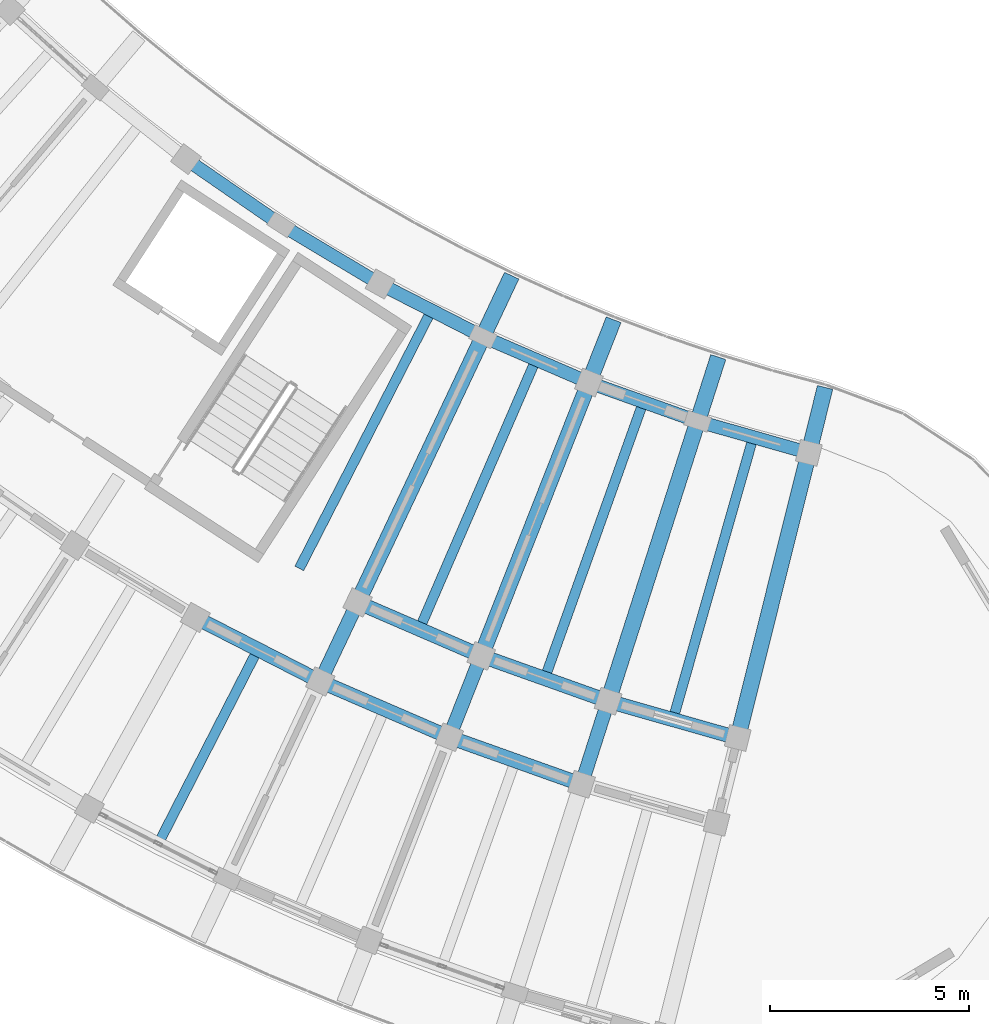
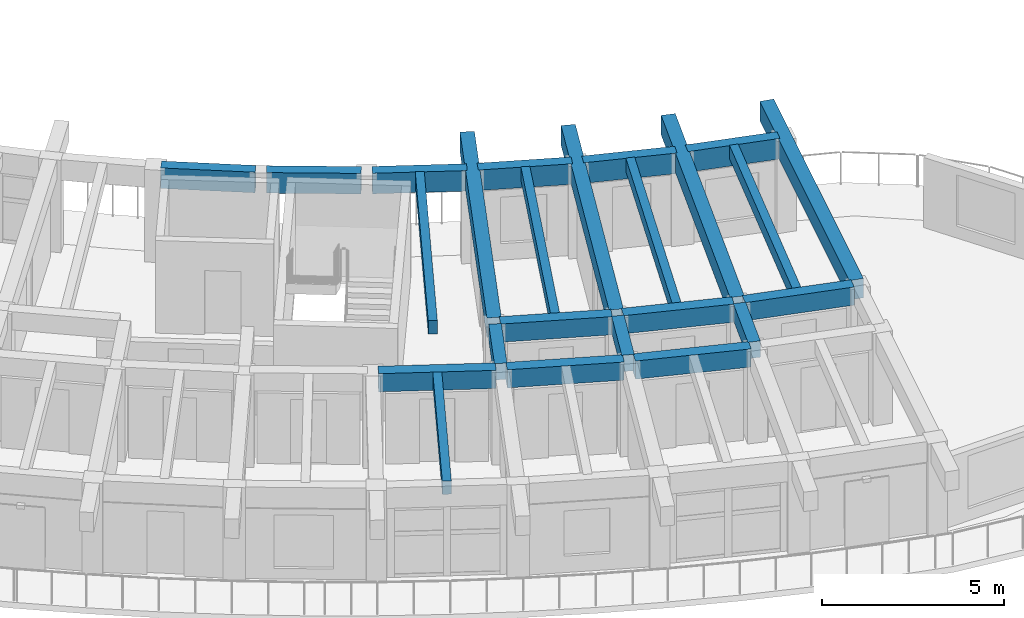
# One storey, part 9 of 96: 24 beams.
"""IFC4 building model written with IfcOpenShell, lengths in metres."""

from ifc_helpers import new_model, si_unit, direction, frame, origin, origin_2d, place, context, subcontext, project, spatial, rectangle, extrude, material, material_profile, profile_set, type_object, element, save


model = new_model("IFC4")

# Units and contexts
model_context = context("Model", 3, precision=1e-05, world=origin(), true_north=direction((0.0, 1.0)))
body_context = subcontext(model_context, "Body", "Model", "MODEL_VIEW")
ifc_project = project(units=[si_unit("LENGTHUNIT", "METRE"), si_unit("AREAUNIT", "SQUARE_METRE"), si_unit("VOLUMEUNIT", "CUBIC_METRE"), si_unit("PLANEANGLEUNIT", "RADIAN"), si_unit("MASSUNIT", "GRAM", prefix="KILO")], contexts=[model_context])

# Site, building, storey
site_placement = place(None, origin())
site = spatial("IfcSite", under=ifc_project, at=site_placement, CompositionType="ELEMENT")
building_placement = place(site_placement, origin())
building = spatial("IfcBuilding", under=site, at=building_placement, Name="Tanwirah Colonnade Gardens", CompositionType="ELEMENT")
storey_placement = place(building_placement, frame((0.0, 0.0, 12.199951171875)))
storey = spatial("IfcBuildingStorey", under=building, at=storey_placement, Name="L03", CompositionType="ELEMENT", Elevation=12.199951171875)

# Beams
ifc_material_1 = material(Name="Precast concrete C40/50", Category="concrete")
ifc_material_profile_1 = material_profile(ifc_material_1, rectangle(XDim=0.360107421875, YDim=0.610107421875, at=origin_2d()), Name="PC-BM 360x610")
ifc_profile_set_1 = profile_set([ifc_material_profile_1], Name="Precast concrete C40/50")
beam_type_1 = type_object("IfcBeamType", Name="BM-PC300", PredefinedType="BEAM", material=ifc_profile_set_1)
beam_1_placement = place(storey_placement, frame((38.929443359375, 17.158447265625, 2.800048828125), z_axis=(0.890025451153, -0.45591084249, 0.0), x_axis=(0.45591084249, 0.890025451153, 0.0)))
element("IfcBeam", 1, at=beam_1_placement, inside=storey, type_object=beam_type_1, Name="Block C L03 Circumferential Beam 12-R2", PredefinedType="BEAM", context=body_context, shape_type="SweptSolid", body=[
    extrude(rectangle(XDim=0.360107421875, YDim=0.610107421875, at=origin_2d()), origin(), (0.0, 0.0, 1.0), 3.237060546875),
])
beam_2_placement = place(storey_placement, frame((43.02001953125, 17.54443359375, 2.800048828125), z_axis=(0.917936292782, -0.396727819032, 0.0), x_axis=(0.396727819032, 0.917936292782, 0.0)))
element("IfcBeam", 2, at=beam_2_placement, inside=storey, type_object=beam_type_1, Name="Block C L03 Circumferential Beam 13-R1", PredefinedType="BEAM", context=body_context, shape_type="SweptSolid", body=[
    extrude(rectangle(XDim=0.360107421875, YDim=0.610107421875, at=origin_2d()), origin(), (0.0, 0.0, 1.0), 3.093017578125),
])
beam_3_placement = place(storey_placement, frame((42.08154296875, 15.5546875, 2.800048828125), z_axis=(0.917943156181, -0.396711938338, 0.0), x_axis=(0.396711938338, 0.917943156181, 0.0)))
element("IfcBeam", 3, at=beam_3_placement, inside=storey, type_object=beam_type_1, Name="Block C L03 Circumferential Beam 13-R2", PredefinedType="BEAM", context=body_context, shape_type="SweptSolid", body=[
    extrude(rectangle(XDim=0.360107421875, YDim=0.610107421875, at=origin_2d()), origin(), (0.0, 0.0, 1.0), 3.237060546875),
])
beam_4_placement = place(storey_placement, frame((46.13818359375, 16.20751953125, 2.800048828125), z_axis=(0.941911444877, -0.335861325564, 0.0), x_axis=(0.335861325564, 0.941911444877, 0.0)))
element("IfcBeam", 4, at=beam_4_placement, inside=storey, type_object=beam_type_1, Name="Block C L03 Circumferential Beam 14-R1", PredefinedType="BEAM", context=body_context, shape_type="SweptSolid", body=[
    extrude(rectangle(XDim=0.360107421875, YDim=0.610107421875, at=origin_2d()), origin(), (0.0, 0.0, 1.0), 3.093017578125),
])
beam_5_placement = place(storey_placement, frame((45.331787109375, 14.16064453125, 2.800048828125), z_axis=(0.941917534978, -0.335844245597, 0.0), x_axis=(0.335844245597, 0.941917534978, 0.0)))
element("IfcBeam", 5, at=beam_5_placement, inside=storey, type_object=beam_type_1, Name="Block C L03 Circumferential Beam 14-R2", PredefinedType="BEAM", context=body_context, shape_type="SweptSolid", body=[
    extrude(rectangle(XDim=0.360107421875, YDim=0.610107421875, at=origin_2d()), origin(), (0.0, 0.0, 1.0), 3.237060546875),
])
beam_6_placement = place(storey_placement, frame((49.337158203125, 15.0771484375, 2.800048828125), z_axis=(0.961865763464, -0.273521942585, 0.0), x_axis=(0.273521942585, 0.961865763464, 0.0)))
element("IfcBeam", 6, at=beam_6_placement, inside=storey, type_object=beam_type_1, Name="Block C L03 Circumferential Beam 15-R1", PredefinedType="BEAM", context=body_context, shape_type="SweptSolid", body=[
    extrude(rectangle(XDim=0.360107421875, YDim=0.610107421875, at=origin_2d()), origin(), (0.0, 0.0, 1.0), 3.0927734375),
])
ifc_material_profile_2 = material_profile(ifc_material_1, rectangle(XDim=0.35009765625, YDim=0.550048828125, at=origin_2d()), Name="PC-BM 350x550")
ifc_profile_set_2 = profile_set([ifc_material_profile_2], Name="Precast concrete C40/50")
beam_type_2 = type_object("IfcBeamType", Name="BM-PC350A", PredefinedType="BEAM", material=ifc_profile_set_2)
beam_7_placement = place(storey_placement, frame((42.818359375, 17.46826171875, 2.830078125), z_axis=(-0.426483812015, -0.904495195172, 0.0), x_axis=(0.904495195172, -0.426483812015, 0.0)))
element("IfcBeam", 7, at=beam_7_placement, inside=storey, type_object=beam_type_2, Name="Block C L03 Corridor Tie Beam 13", PredefinedType="BEAM", context=body_context, shape_type="SweptSolid", body=[
    extrude(rectangle(XDim=0.35009765625, YDim=0.550048828125, at=origin_2d()), origin(), (0.0, 0.0, 1.0), 1.89990234375),
])
beam_8_placement = place(storey_placement, frame((45.94189453125, 16.1181640625, 2.830078125), z_axis=(-0.366511033969, -0.930413704746, 0.0), x_axis=(0.930413704746, -0.366511033969, 0.0)))
element("IfcBeam", 8, at=beam_8_placement, inside=storey, type_object=beam_type_2, Name="Block C L03 Corridor Tie Beam 14", PredefinedType="BEAM", context=body_context, shape_type="SweptSolid", body=[
    extrude(rectangle(XDim=0.35009765625, YDim=0.550048828125, at=origin_2d()), origin(), (0.0, 0.0, 1.0), 1.899658203125),
])
beam_9_placement = place(storey_placement, frame((49.14697265625, 14.975341796875, 2.830078125), z_axis=(-0.304794376797, -0.952418179096, 0.0), x_axis=(0.952418179096, -0.304794376797, 0.0)))
element("IfcBeam", 9, at=beam_9_placement, inside=storey, type_object=beam_type_2, Name="Block C L03 Corridor Tie Beam 15", PredefinedType="BEAM", context=body_context, shape_type="SweptSolid", body=[
    extrude(rectangle(XDim=0.35009765625, YDim=0.550048828125, at=origin_2d()), origin(), (0.0, 0.0, 1.0), 1.89990234375),
])
ifc_material_2 = material(Name="Precast concrete C45/55", Category="concrete")
ifc_material_profile_3 = material_profile(ifc_material_2, rectangle(XDim=0.39990234375, YDim=0.64990234375, at=origin_2d()), Name="PC-BM 400x650")
ifc_profile_set_3 = profile_set([ifc_material_profile_3], Name="Precast concrete C45/55")
beam_type_3 = type_object("IfcBeamType", Name="BM-PC400", PredefinedType="BEAM", material=ifc_profile_set_3)
for number, where, z_axis, x_axis, name in (
    (10, (42.9462890625, 17.73974609375, 2.780029296875), (0.426582468098, 0.904448670689, 0.0), (-0.904448670689, 0.426582468098, 0.0), "Block C L03 Inner Radial Precast Girder 13"),
    (11, (46.052001953125, 16.3974609375, 2.780029296875), (0.36648945479, 0.930422204984, 0.0), (-0.930422204984, 0.36648945479, 0.0), "Block C L03 Inner Radial Precast Girder 14"),
    (12, (49.238525390625, 15.26123046875, 2.780029296875), (0.304862826508, 0.952396270999, 0.0), (-0.952396270999, 0.304862826508, 0.0), "Block C L03 Inner Radial Precast Girder 15"),
    (13, (52.49267578125, 14.335693359375, 2.780029296875), (0.241932243826, 0.970293146115, 0.0), (-0.970293146115, 0.241932243826, 0.0), "Block C L03 Inner Radial Precast Girder 16"),
):
    element("IfcBeam", number, at=place(storey_placement, frame(where, z_axis=z_axis, x_axis=x_axis)), inside=storey, type_object=beam_type_3, Name=name, PredefinedType="BEAM", context=body_context, shape_type="SweptSolid", body=[
        extrude(rectangle(XDim=0.39990234375, YDim=0.64990234375, at=origin_2d()), origin(), (0.0, 0.0, 1.0), 8.949951171875),
    ])
ifc_material_profile_4 = material_profile(ifc_material_1, rectangle(XDim=0.25, YDim=0.449951171875, at=origin_2d()), Name="PC-JST 250x450")
ifc_profile_set_4 = profile_set([ifc_material_profile_4], Name="Precast concrete C40/50")
beam_type_4 = type_object("IfcBeamType", Name="JST-PC250", PredefinedType="JOIST", material=ifc_profile_set_4)
beam_10_placement = place(storey_placement, frame((40.302001953125, 16.287841796875, 2.880126953125), z_axis=(-0.455936851617, -0.890012127635, 0.0), x_axis=(0.890012127635, -0.455936851617, 0.0)))
element("IfcBeam", 14, at=beam_10_placement, inside=storey, type_object=beam_type_4, Name="Block C L03 Precast Floor Joist 12", PredefinedType="JOIST", context=body_context, shape_type="SweptSolid", body=[
    extrude(rectangle(XDim=0.25, YDim=0.449951171875, at=origin_2d()), origin(), (0.0, 0.0, 1.0), 5.260009765625),
])
for number, where, z_axis, x_axis, name in (
    (15, (44.678955078125, 24.83203125, 2.880126953125), (-0.455921327553, -0.890020080157, 0.0), (0.890020080157, -0.455921327553, 0.0), "Block C L03 Inner Precast Floor Joist 12"),
    (16, (47.31689453125, 23.587890625, 2.880126953125), (-0.396736454079, -0.917932560706, 0.0), (0.917932560706, -0.396736454079, 0.0), "Block C L03 Inner Precast Floor Joist 13"),
):
    element("IfcBeam", number, at=place(storey_placement, frame(where, z_axis=z_axis, x_axis=x_axis)), inside=storey, type_object=beam_type_4, Name=name, PredefinedType="JOIST", context=body_context, shape_type="SweptSolid", body=[
        extrude(rectangle(XDim=0.25, YDim=0.449951171875, at=origin_2d()), origin(), (0.0, 0.0, 1.0), 7.159912109375),
    ])
beam_11_placement = place(storey_placement, frame((50.030517578125, 22.51904296875, 2.880126953125), z_axis=(-0.335861148107, -0.941911508154, 0.0), x_axis=(0.941911508154, -0.335861148107, 0.0)))
element("IfcBeam", 17, at=beam_11_placement, inside=storey, type_object=beam_type_4, Name="Block C L03 Inner Precast Floor Joist 14", PredefinedType="JOIST", context=body_context, shape_type="SweptSolid", body=[
    extrude(rectangle(XDim=0.25, YDim=0.449951171875, at=origin_2d()), origin(), (0.0, 0.0, 1.0), 7.16015625),
])
beam_12_placement = place(storey_placement, frame((52.808349609375, 21.6298828125, 2.880126953125), z_axis=(-0.273532000762, -0.961862903204, 0.0), x_axis=(0.961862903204, -0.273532000762, 0.0)))
element("IfcBeam", 18, at=beam_12_placement, inside=storey, type_object=beam_type_4, Name="Block C L03 Inner Precast Floor Joist 15", PredefinedType="JOIST", context=body_context, shape_type="SweptSolid", body=[
    extrude(rectangle(XDim=0.25, YDim=0.449951171875, at=origin_2d()), origin(), (0.0, 0.0, 1.0), 7.159912109375),
])
ifc_material_profile_5 = material_profile(ifc_material_1, rectangle(XDim=0.330078125, YDim=0.68994140625, at=origin_2d()), Name="PC-SP 330x690")
ifc_profile_set_5 = profile_set([ifc_material_profile_5], Name="Precast concrete C40/50")
beam_type_5 = type_object("IfcBeamType", Name="SP-PC280", PredefinedType="SPANDREL", material=ifc_profile_set_5)
beam_13_placement = place(storey_placement, frame((38.68359375, 28.683349609375, 2.760009765625), z_axis=(0.822868771031, -0.568231454305, 0.0), x_axis=(0.568231454305, 0.822868771031, 0.0)))
element("IfcBeam", 19, at=beam_13_placement, inside=storey, type_object=beam_type_5, Name="Block C L03 Circumferential Beam 10-R0", PredefinedType="SPANDREL", context=body_context, shape_type="SweptSolid", body=[
    extrude(rectangle(XDim=0.330078125, YDim=0.68994140625, at=origin_2d()), origin(), (0.0, 0.0, 1.0), 2.60888671875),
])
for number, where, z_axis, x_axis, name in (
    (20, (41.08251953125, 27.038818359375, 2.760009765625), (0.858301131151, -0.513146341958, 0.0), (0.513146341958, 0.858301131151, 0.0), "Block C L03 Circumferential Beam 11-R0"),
    (21, (43.583740234375, 25.5546875, 2.760009765625), (0.890042438658, -0.455877678097, 0.0), (0.455877678097, 0.890042438658, 0.0), "Block C L03 Circumferential Beam 12-R0"),
    (22, (46.1767578125, 24.237548828125, 2.760009765625), (0.917901260915, -0.396808864833, 0.0), (0.396808864833, 0.917901260915, 0.0), "Block C L03 Circumferential Beam 13-R0"),
    (23, (48.850341796875, 23.092529296875, 2.760009765625), (0.941898499992, -0.335897626835, 0.0), (0.335897626835, 0.941898499992, 0.0), "Block C L03 Circumferential Beam 14-R0"),
):
    element("IfcBeam", number, at=place(storey_placement, frame(where, z_axis=z_axis, x_axis=x_axis)), inside=storey, type_object=beam_type_5, Name=name, PredefinedType="SPANDREL", context=body_context, shape_type="SweptSolid", body=[
        extrude(rectangle(XDim=0.330078125, YDim=0.68994140625, at=origin_2d()), origin(), (0.0, 0.0, 1.0), 2.608642578125),
    ])
beam_14_placement = place(storey_placement, frame((51.593017578125, 22.125, 2.760009765625), z_axis=(0.961858721299, -0.273546705814, 0.0), x_axis=(0.273546705814, 0.961858721299, 0.0)))
element("IfcBeam", 24, at=beam_14_placement, inside=storey, type_object=beam_type_5, Name="Block C L03 Circumferential Beam 15-R0", PredefinedType="SPANDREL", context=body_context, shape_type="SweptSolid", body=[
    extrude(rectangle(XDim=0.330078125, YDim=0.68994140625, at=origin_2d()), origin(), (0.0, 0.0, 1.0), 2.60888671875),
])

save(model, "model.ifc")
